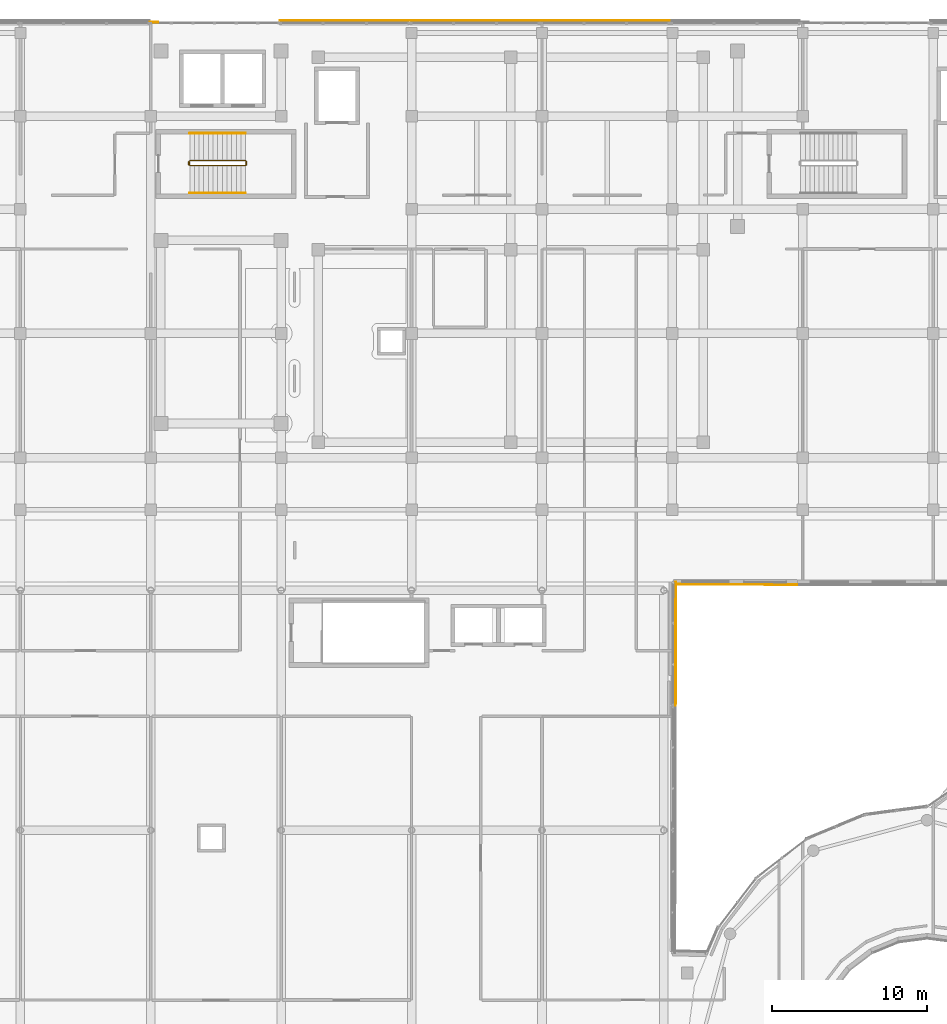
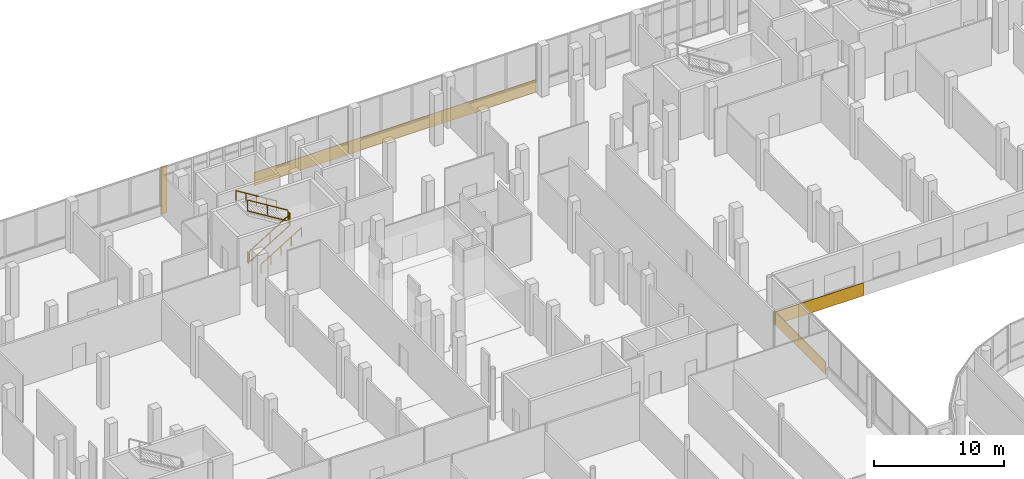
# One storey, part 151 of 155: 6 coverings, 6 railings.
"""IFC4 building model written with IfcOpenShell, lengths in metres."""

from ifc_helpers import new_model, si_unit, direction, frame, origin, origin_2d, place, context, subcontext, project, spatial, rectangle, circle, extrude, material, layer, layer_set, type_object, element, save


model = new_model("IFC4")

# Units and contexts
model_context = context("Model", 3, precision=1e-05, world=origin(), true_north=direction((0.0, 1.0)))
body_context = subcontext(model_context, "Body", "Model", "MODEL_VIEW")
ifc_project = project(units=[si_unit("LENGTHUNIT", "METRE"), si_unit("AREAUNIT", "SQUARE_METRE"), si_unit("VOLUMEUNIT", "CUBIC_METRE"), si_unit("PLANEANGLEUNIT", "RADIAN"), si_unit("MASSUNIT", "GRAM", prefix="KILO")], contexts=[model_context])

# Site, building, storey
site_placement = place(None, origin())
site = spatial("IfcSite", under=ifc_project, at=site_placement, CompositionType="ELEMENT")
building_placement = place(site_placement, origin())
building = spatial("IfcBuilding", under=site, at=building_placement, Name="Selatvlak General Hospital", CompositionType="ELEMENT")
storey_placement = place(building_placement, frame((0.0, 0.0, 10.199951171875)))
storey = spatial("IfcBuildingStorey", under=building, at=storey_placement, Name="L02", CompositionType="ELEMENT", Elevation=10.199951171875)

# Coverings
ifc_material_1 = material(Name="White Bauhaus fair-faced cladding panel")
ifc_layer = layer(ifc_material_1, 0.054931640625, Name="White Bauhaus fair-faced cladding panel")
ifc_layer_set = layer_set([ifc_layer], Name="White Bauhaus fair-faced cladding panel")
covering_type = type_object("IfcCoveringType", Name="COV-WHT1", PredefinedType="CLADDING", material=ifc_layer_set)
covering_1_placement = place(storey_placement, frame((48.195068359375, 120.0439453125, 0.0), z_axis=(0.0, 0.0, 1.0), x_axis=(1.0, 0.0, 0.0)))
element("IfcCovering", 1, at=covering_1_placement, inside=storey, type_object=covering_type, Name="L02 Bauhaus vertical core pilaster 0146", PredefinedType="CLADDING", context=body_context, shape_type="SweptSolid", body=[
    extrude(rectangle(XDim=0.550048828125, YDim=0.054931640625, at=origin_2d()), origin(), (0.0, 0.0, 1.0), 4.4599609375),
])
for number, where, z_axis, x_axis, name in (
    (2, (60.489990234375, 120.1640625, -0.27978515625), (0.0, 0.0, 1.0), (1.0, 0.0, 0.0), "L02 Bauhaus horizontal white spandrel band 0147"),
    (3, (68.8701171875, 120.1640625, -0.27978515625), (0.0, 0.0, 1.0), (1.0, 0.0, 0.0), "L02 Bauhaus horizontal white spandrel band 0148"),
    (4, (77.25, 120.1640625, -0.27978515625), (0.0, 0.0, 1.0), (1.0, 0.0, 0.0), "L02 Bauhaus horizontal white spandrel band 0149"),
):
    element("IfcCovering", number, at=place(storey_placement, frame(where, z_axis=z_axis, x_axis=x_axis)), inside=storey, type_object=covering_type, Name=name, PredefinedType="CLADDING", context=body_context, shape_type="SweptSolid", body=[
        extrude(rectangle(XDim=8.3798828125, YDim=0.054931640625, at=origin_2d()), origin(), (0.0, 0.0, 1.0), 1.219970703125),
    ])
covering_2_placement = place(storey_placement, frame((85.652099609375, 83.827880859375, -0.27978515625), z_axis=(0.0, 0.0, 1.0), x_axis=(-0.999998223472, 0.001884954476, 0.0)))
element("IfcCovering", 5, at=covering_2_placement, inside=storey, type_object=covering_type, Name="L02 Bauhaus horizontal white spandrel band 0188", PredefinedType="CLADDING", context=body_context, shape_type="SweptSolid", body=[
    extrude(rectangle(XDim=7.985107421875, YDim=0.054931640625, at=origin_2d()), origin(), (0.0, 0.0, 1.0), 1.219970703125),
])
covering_3_placement = place(storey_placement, frame((81.81494140625, 80.010009765625, -0.27978515625), z_axis=(0.0, 0.0, 1.0), x_axis=(-0.002513271477, -0.999996841728, 0.0)))
element("IfcCovering", 6, at=covering_3_placement, inside=storey, type_object=covering_type, Name="L02 Bauhaus horizontal white spandrel band 0189", PredefinedType="CLADDING", context=body_context, shape_type="SweptSolid", body=[
    extrude(rectangle(XDim=7.97998046875, YDim=0.054931640625, at=origin_2d()), origin(), (0.0, 0.0, 1.0), 1.219970703125),
])

# Railings
ifc_material_2 = material(Name="Stainless steel 316 stair guard", Category="steel")
railing_type_1 = type_object("IfcRailingType", Name="RAIL-STG", PredefinedType="GUARDRAIL", material=ifc_material_2)
railing_1_placement = place(storey_placement, frame((50.510009765625, 110.81005859375, 0.1845703125)))
element("IfcRailing", 7, at=railing_1_placement, inside=storey, type_object=railing_type_1, Name="L02 ST-01 stair guard 1", PredefinedType="GUARDRAIL", context=body_context, shape_type="SweptSolid", body=[
    extrude(rectangle(XDim=0.068115234375, YDim=0.068115234375, at=origin_2d()), frame((0.00244140625, 0.0, 1.067626953125), z_axis=(0.851644435552, 0.0, 0.524119981868), x_axis=(0.0, 1.0, 0.0)), (0.0, 0.0, 1.0), 4.221435546875),
    extrude(rectangle(XDim=0.068115234375, YDim=0.068115234375, at=origin_2d()), frame((0.00244140625, 0.0, 0.050537109375), z_axis=(0.851644435552, 0.0, 0.524119981868), x_axis=(0.0, 1.0, 0.0)), (0.0, 0.0, 1.0), 4.221435546875),
    extrude(rectangle(XDim=0.055908203125, YDim=0.055908203125, at=origin_2d()), origin(), (0.0, 0.0, 1.0), 1.029052734375),
    extrude(rectangle(XDim=0.055908203125, YDim=0.055908203125, at=origin_2d()), frame((1.800048828125, 0.0, 1.10791015625)), (0.0, 0.0, 1.0), 1.029052734375),
    extrude(rectangle(XDim=0.055908203125, YDim=0.055908203125, at=origin_2d()), frame((3.60009765625, 0.0, 2.215576171875)), (0.0, 0.0, 1.0), 1.029052734375),
])
railing_2_placement = place(storey_placement, frame((54.159912109375, 110.860107421875, 2.400146484375)))
element("IfcRailing", 8, at=railing_2_placement, inside=storey, type_object=railing_type_1, Name="L02 ST-01 stair guard 2", PredefinedType="GUARDRAIL", context=body_context, shape_type="SweptSolid", body=[
    extrude(rectangle(XDim=0.068115234375, YDim=0.068115234375, at=origin_2d()), frame((0.0, 0.0029296875, 1.06591796875), z_axis=(0.0, 1.0, 0.0), x_axis=(-1.0, 0.0, 0.0)), (0.0, 0.0, 1.0), 0.214111328125),
    extrude(rectangle(XDim=0.068115234375, YDim=0.068115234375, at=origin_2d()), frame((0.0, 0.0029296875, 0.049072265625), z_axis=(0.0, 1.0, 0.0), x_axis=(-1.0, 0.0, 0.0)), (0.0, 0.0, 1.0), 0.214111328125),
    extrude(rectangle(XDim=0.055908203125, YDim=0.055908203125, at=origin_2d()), origin(), (0.0, 0.0, 1.0), 1.029052734375),
    extrude(rectangle(XDim=0.055908203125, YDim=0.055908203125, at=origin_2d()), frame((0.0, 0.219970703125, 0.0)), (0.0, 0.0, 1.0), 1.029052734375),
])
railing_3_placement = place(storey_placement, frame((54.110107421875, 111.1298828125, 2.584716796875)))
element("IfcRailing", 9, at=railing_3_placement, inside=storey, type_object=railing_type_1, Name="L02 ST-01 stair guard 3", PredefinedType="GUARDRAIL", context=body_context, shape_type="SweptSolid", body=[
    extrude(rectangle(XDim=0.068115234375, YDim=0.068115234375, at=origin_2d()), frame((-0.00244140625, 0.0, 1.067626953125), z_axis=(-0.85167021472, 0.0, 0.524078090897), x_axis=(0.0, -1.0, 0.0)), (0.0, 0.0, 1.0), 4.22119140625),
    extrude(rectangle(XDim=0.068115234375, YDim=0.068115234375, at=origin_2d()), frame((-0.00244140625, 0.0, 0.050537109375), z_axis=(-0.85167021472, 0.0, 0.524078090897), x_axis=(0.0, -1.0, 0.0)), (0.0, 0.0, 1.0), 4.22119140625),
    extrude(rectangle(XDim=0.055908203125, YDim=0.055908203125, at=origin_2d()), origin(), (0.0, 0.0, 1.0), 1.029052734375),
    extrude(rectangle(XDim=0.055908203125, YDim=0.055908203125, at=origin_2d()), frame((-1.800048828125, 0.0, 1.107666015625)), (0.0, 0.0, 1.0), 1.029052734375),
    extrude(rectangle(XDim=0.055908203125, YDim=0.055908203125, at=origin_2d()), frame((-3.60009765625, 0.0, 2.21533203125)), (0.0, 0.0, 1.0), 1.029052734375),
])
railing_4_placement = place(storey_placement, frame((50.4599609375, 110.860107421875, 0.0)))
element("IfcRailing", 10, at=railing_4_placement, inside=storey, type_object=railing_type_1, Name="L02 ST-01 stair guard 4", PredefinedType="GUARDRAIL", context=body_context, shape_type="SweptSolid", body=[
    extrude(rectangle(XDim=0.068115234375, YDim=0.068115234375, at=origin_2d()), frame((0.0, 0.0029296875, 1.06591796875), z_axis=(0.0, 1.0, 0.0), x_axis=(-1.0, 0.0, 0.0)), (0.0, 0.0, 1.0), 0.214111328125),
    extrude(rectangle(XDim=0.068115234375, YDim=0.068115234375, at=origin_2d()), frame((0.0, 0.0029296875, 0.049072265625), z_axis=(0.0, 1.0, 0.0), x_axis=(-1.0, 0.0, 0.0)), (0.0, 0.0, 1.0), 0.214111328125),
    extrude(rectangle(XDim=0.055908203125, YDim=0.055908203125, at=origin_2d()), origin(), (0.0, 0.0, 1.0), 1.029052734375),
    extrude(rectangle(XDim=0.055908203125, YDim=0.055908203125, at=origin_2d()), frame((0.0, 0.219970703125, 0.0)), (0.0, 0.0, 1.0), 1.029052734375),
])
ifc_material_3 = material(Name="Stainless steel 316 handrail", Category="steel")
railing_type_2 = type_object("IfcRailingType", Name="RAIL-STH", PredefinedType="HANDRAIL", material=ifc_material_3)
railing_5_placement = place(storey_placement, frame((50.510009765625, 109.050048828125, 0.1845703125)))
element("IfcRailing", 11, at=railing_5_placement, inside=storey, type_object=railing_type_2, Name="L02 ST-01 stair handrail 1", PredefinedType="HANDRAIL", context=body_context, shape_type="SweptSolid", body=[
    extrude(circle(Radius=0.02392578125, at=origin_2d()), frame((0.00244140625, 0.0, 0.87744140625), z_axis=(0.851644435552, 0.0, 0.524119981868), x_axis=(0.0, 1.0, 0.0)), (0.0, 0.0, 1.0), 4.221435546875),
    extrude(circle(Radius=0.02099609375, at=origin_2d()), origin(), (0.0, 0.0, 1.0), 0.848876953125),
    extrude(circle(Radius=0.02099609375, at=origin_2d()), frame((0.89990234375, 0.0, 0.553955078125)), (0.0, 0.0, 1.0), 0.848876953125),
    extrude(circle(Radius=0.02099609375, at=origin_2d()), frame((1.800048828125, 0.0, 1.10791015625)), (0.0, 0.0, 1.0), 0.848876953125),
    extrude(circle(Radius=0.02099609375, at=origin_2d()), frame((2.7001953125, 0.0, 1.66162109375)), (0.0, 0.0, 1.0), 0.848876953125),
    extrude(circle(Radius=0.02099609375, at=origin_2d()), frame((3.60009765625, 0.0, 2.215576171875)), (0.0, 0.0, 1.0), 0.848876953125),
])
railing_6_placement = place(storey_placement, frame((54.110107421875, 112.889892578125, 2.584716796875)))
element("IfcRailing", 12, at=railing_6_placement, inside=storey, type_object=railing_type_2, Name="L02 ST-01 stair handrail 2", PredefinedType="HANDRAIL", context=body_context, shape_type="SweptSolid", body=[
    extrude(circle(Radius=0.02392578125, at=origin_2d()), frame((-0.00244140625, 0.0, 0.87744140625), z_axis=(-0.85167021472, 0.0, 0.524078090897), x_axis=(0.0, -1.0, 0.0)), (0.0, 0.0, 1.0), 4.22119140625),
    extrude(circle(Radius=0.02099609375, at=origin_2d()), origin(), (0.0, 0.0, 1.0), 0.848876953125),
    extrude(circle(Radius=0.02099609375, at=origin_2d()), frame((-0.89990234375, 0.0, 0.5537109375)), (0.0, 0.0, 1.0), 0.848876953125),
    extrude(circle(Radius=0.02099609375, at=origin_2d()), frame((-1.800048828125, 0.0, 1.107666015625)), (0.0, 0.0, 1.0), 0.848876953125),
    extrude(circle(Radius=0.02099609375, at=origin_2d()), frame((-2.7001953125, 0.0, 1.66162109375)), (0.0, 0.0, 1.0), 0.848876953125),
    extrude(circle(Radius=0.02099609375, at=origin_2d()), frame((-3.60009765625, 0.0, 2.21533203125)), (0.0, 0.0, 1.0), 0.848876953125),
])

save(model, "model.ifc")
